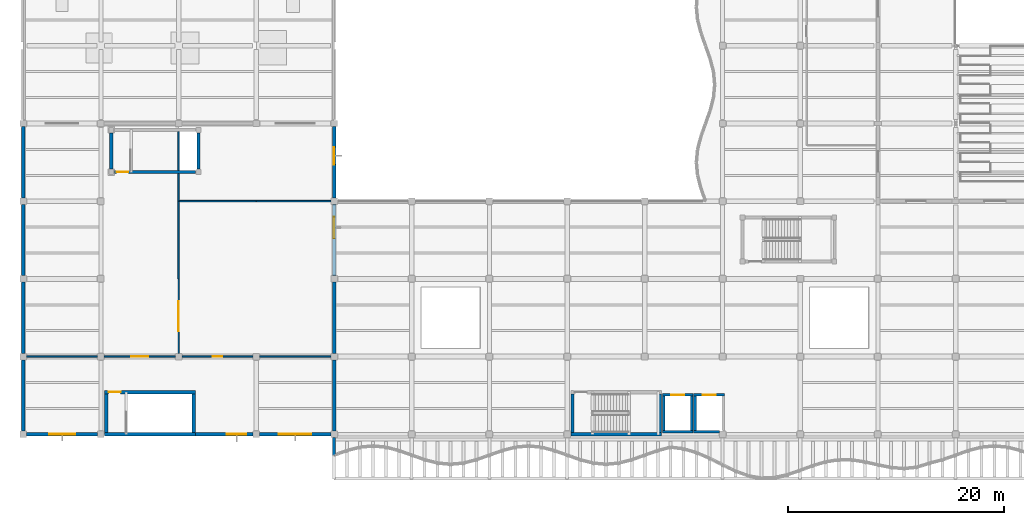
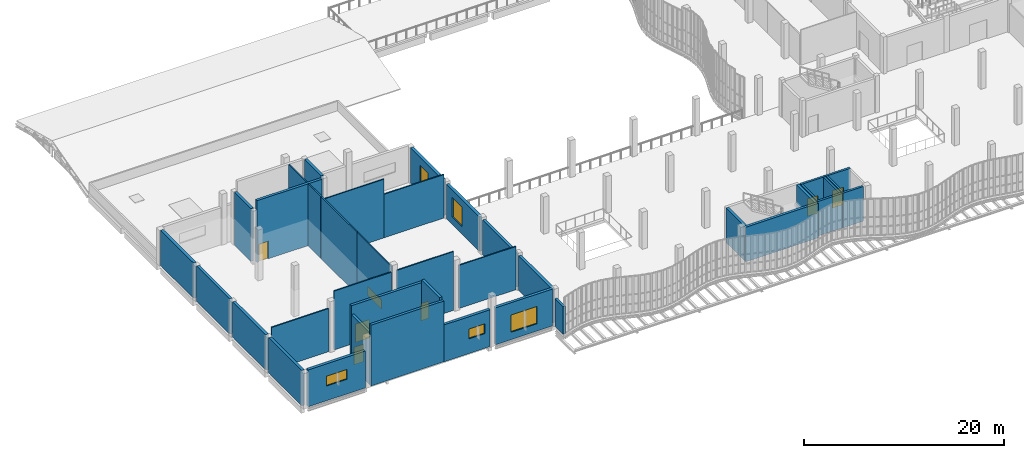
# One storey, part 88 of 105: 39 walls, 6 doors, 6 windows, 12 openings.
"""IFC4 building model written with IfcOpenShell, lengths in metres."""

from ifc_helpers import new_model, si_unit, direction, frame, frame_2d, origin, place, context, subcontext, project, spatial, rectangle, extrude, material, layer, layer_set, type_object, element, fill, save


model = new_model("IFC4")

# Units and contexts
model_context = context("Model", 3, precision=1e-05, world=origin(), true_north=direction((0.0, 1.0)))
body_context = subcontext(model_context, "Body", "Model", "MODEL_VIEW")
ifc_project = project(units=[si_unit("LENGTHUNIT", "METRE"), si_unit("AREAUNIT", "SQUARE_METRE"), si_unit("VOLUMEUNIT", "CUBIC_METRE"), si_unit("PLANEANGLEUNIT", "RADIAN"), si_unit("MASSUNIT", "GRAM", prefix="KILO"), si_unit("THERMODYNAMICTEMPERATUREUNIT", "KELVIN"), si_unit("POWERUNIT", "WATT")], contexts=[model_context])

# Site, building, storey
site_placement = place(None, origin())
site = spatial("IfcSite", under=ifc_project, at=site_placement, CompositionType="ELEMENT")
building_placement = place(site_placement, origin())
building = spatial("IfcBuilding", under=site, at=building_placement, Name="Kaldorven Railside Theatre", CompositionType="ELEMENT")
storey_placement = place(building_placement, frame((0.0, 0.0, 9.89990234375)))
storey = spatial("IfcBuildingStorey", under=building, at=storey_placement, Name="L02", CompositionType="ELEMENT", Elevation=9.89990234375)

# Wall, opening, window
ifc_material_1 = material(Name="Architectural concrete C40/50", Category="concrete")
ifc_layer_1 = layer(ifc_material_1, 0.320068359375, Name="Architectural concrete C40/50")
ifc_layer_set_1 = layer_set([ifc_layer_1], Name="Architectural concrete C40/50")
wall_type_1 = type_object("IfcWallType", Name="WL-EW04", PredefinedType="SOLIDWALL", material=ifc_layer_set_1)
wall_1_placement = place(storey_placement, frame((36.5, 19.199951171875, 0.0), z_axis=(0.0, 0.0, 1.0), x_axis=(-1.0, 0.0, 0.0)))
wall_1 = element("IfcWall", 1, at=wall_1_placement, inside=storey, type_object=wall_type_1, Name="V3 L02 Exterior Wall EW-0162", PredefinedType="SOLIDWALL", context=body_context, shape_type="SweptSolid", body=[
    extrude(rectangle(XDim=6.60009765625, YDim=0.320068359375, at=frame_2d((3.300048828125, 0.0))), origin(), (0.0, 0.0, 1.0), 4.5),
])
opening_1_placement = place(wall_1_placement, frame((1.800048828125, 0.0, 0.89990234375)))
opening_1 = element("IfcOpeningElement", 2, at=opening_1_placement, cuts=wall_1, Name="Opening WN-013", PredefinedType="OPENING", context=body_context, shape_type="SweptSolid", body=[
    extrude(rectangle(XDim=3.0, YDim=2.10009765625, at=frame_2d((1.5, 1.050048828125))), frame((0.0, 0.169921875, 0.0), z_axis=(0.0, -1.0, 0.0), x_axis=(1.0, 0.0, 0.0)), (0.0, 0.0, 1.0), 0.340087890625),
])
ifc_material_2 = material(Name="Low-E laminated solar-control glass", Category="glass")
window_type_1 = type_object("IfcWindowType", Name="WN-EW13", PartitioningType="SINGLE_PANEL", PredefinedType="WINDOW", material=ifc_material_2)
window_1_placement = place(opening_1_placement, origin())
window_1 = element("IfcWindow", 3, at=window_1_placement, inside=storey, type_object=window_type_1, Name="Shaded Acoustic Exterior Window WN-013", OverallHeight=2.10009765625, OverallWidth=3.0, PartitioningType="SINGLE_PANEL", PredefinedType="WINDOW", context=body_context, shape_type="SweptSolid", body=[
    extrude(rectangle(XDim=3.0, YDim=2.10009765625, at=frame_2d((1.5, 1.050048828125))), frame((0.0, 0.030029296875, 0.0), z_axis=(0.0, -1.0, 0.0), x_axis=(1.0, 0.0, 0.0)), (0.0, 0.0, 1.0), 0.06005859375),
])
fill(opening_1, window_1)

wall_2_placement = place(storey_placement, frame((29.300048828125, 19.199951171875, 0.0), z_axis=(0.0, 0.0, 1.0), x_axis=(-1.0, 0.0, 0.0)))
wall_2 = element("IfcWall", 4, at=wall_2_placement, inside=storey, type_object=wall_type_1, Name="V3 L02 Exterior Wall EW-0163", PredefinedType="SOLIDWALL", context=body_context, shape_type="SweptSolid", body=[
    extrude(rectangle(XDim=5.35009765625, YDim=0.320068359375, at=frame_2d((2.675048828125, 0.0))), origin(), (0.0, 0.0, 1.0), 4.5),
])
opening_2_placement = place(wall_2_placement, frame((0.625, 0.0, 1.800048828125)))
opening_2 = element("IfcOpeningElement", 5, at=opening_2_placement, cuts=wall_2, Name="Opening WN-014", PredefinedType="OPENING", context=body_context, shape_type="SweptSolid", body=[
    extrude(rectangle(XDim=1.800048828125, YDim=1.199951171875, at=frame_2d((0.89990234375, 0.60009765625))), frame((0.0, 0.169921875, 0.0), z_axis=(0.0, -1.0, 0.0), x_axis=(1.0, 0.0, 0.0)), (0.0, 0.0, 1.0), 0.340087890625),
])
window_type_2 = type_object("IfcWindowType", Name="WN-EW14", PartitioningType="SINGLE_PANEL", PredefinedType="WINDOW", material=ifc_material_2)
window_2_placement = place(opening_2_placement, origin())
window_2 = element("IfcWindow", 6, at=window_2_placement, inside=storey, type_object=window_type_2, Name="Shaded Acoustic Exterior Window WN-014", OverallHeight=1.199951171875, OverallWidth=1.800048828125, PartitioningType="SINGLE_PANEL", PredefinedType="WINDOW", context=body_context, shape_type="SweptSolid", body=[
    extrude(rectangle(XDim=1.800048828125, YDim=1.199951171875, at=frame_2d((0.89990234375, 0.60009765625))), frame((0.0, 0.030029296875, 0.0), z_axis=(0.0, -1.0, 0.0), x_axis=(1.0, 0.0, 0.0)), (0.0, 0.0, 1.0), 0.06005859375),
])
fill(opening_2, window_2)

wall_3_placement = place(storey_placement, frame((14.89990234375, 19.199951171875, 0.0), z_axis=(0.0, 0.0, 1.0), x_axis=(-1.0, 0.0, 0.0)))
wall_3 = element("IfcWall", 7, at=wall_3_placement, inside=storey, type_object=wall_type_1, Name="V3 L02 Exterior Wall EW-0164", PredefinedType="SOLIDWALL", context=body_context, shape_type="SweptSolid", body=[
    extrude(rectangle(XDim=6.599853515625, YDim=0.320068359375, at=frame_2d((3.2998046875, 0.0))), origin(), (0.0, 0.0, 1.0), 4.5),
])
opening_3_placement = place(wall_3_placement, frame((2.10009765625, 0.0, 1.800048828125)))
opening_3 = element("IfcOpeningElement", 8, at=opening_3_placement, cuts=wall_3, Name="Opening WN-015", PredefinedType="OPENING", context=body_context, shape_type="SweptSolid", body=[
    extrude(rectangle(XDim=2.39990234375, YDim=1.199951171875, at=frame_2d((1.199951171875, 0.60009765625))), frame((0.0, 0.169921875, 0.0), z_axis=(0.0, -1.0, 0.0), x_axis=(1.0, 0.0, 0.0)), (0.0, 0.0, 1.0), 0.340087890625),
])
window_type_3 = type_object("IfcWindowType", Name="WN-EW15", PartitioningType="SINGLE_PANEL", PredefinedType="WINDOW", material=ifc_material_2)
window_3_placement = place(opening_3_placement, origin())
window_3 = element("IfcWindow", 9, at=window_3_placement, inside=storey, type_object=window_type_3, Name="Shaded Acoustic Exterior Window WN-015", OverallHeight=1.199951171875, OverallWidth=2.39990234375, PartitioningType="SINGLE_PANEL", PredefinedType="WINDOW", context=body_context, shape_type="SweptSolid", body=[
    extrude(rectangle(XDim=2.39990234375, YDim=1.199951171875, at=frame_2d((1.199951171875, 0.60009765625))), frame((0.0, 0.030029296875, 0.0), z_axis=(0.0, -1.0, 0.0), x_axis=(1.0, 0.0, 0.0)), (0.0, 0.0, 1.0), 0.06005859375),
])
fill(opening_3, window_3)

# Walls
for number, where, z_axis, x_axis, name in (
    (10, (8.0, 19.5, 0.0), (0.0, 0.0, 1.0), (0.0, 1.0, 0.0), "V3 L02 Exterior Wall EW-0165"),
    (11, (8.0, 26.699951171875, 0.0), (0.0, 0.0, 1.0), (0.0, 1.0, 0.0), "V3 L02 Exterior Wall EW-0166"),
    (12, (8.0, 33.89990234375, 0.0), (0.0, 0.0, 1.0), (0.0, 1.0, 0.0), "V3 L02 Exterior Wall EW-0167"),
):
    element("IfcWall", number, at=place(storey_placement, frame(where, z_axis=z_axis, x_axis=x_axis)), inside=storey, type_object=wall_type_1, Name=name, PredefinedType="SOLIDWALL", context=body_context, shape_type="SweptSolid", body=[
        extrude(rectangle(XDim=6.60009765625, YDim=0.320068359375, at=frame_2d((3.300048828125, 0.0))), origin(), (0.0, 0.0, 1.0), 4.31298828125),
    ])
wall_4_placement = place(storey_placement, frame((8.0, 41.10009765625, 0.0), z_axis=(0.0, 0.0, 1.0), x_axis=(0.0, 1.0, 0.0)))
element("IfcWall", 13, at=wall_4_placement, inside=storey, type_object=wall_type_1, Name="V3 L02 Exterior Wall EW-0168", PredefinedType="SOLIDWALL", context=body_context, shape_type="SweptSolid", body=[
    extrude(rectangle(XDim=6.599853515625, YDim=0.320068359375, at=frame_2d((3.2998046875, 0.0))), origin(), (0.0, 0.0, 1.0), 4.31298828125),
])

# Wall, opening, window
wall_5_placement = place(storey_placement, frame((36.800048828125, 47.699951171875, 0.0), z_axis=(0.0, 0.0, 1.0), x_axis=(0.0, -1.0, 0.0)))
wall_5 = element("IfcWall", 14, at=wall_5_placement, inside=storey, type_object=wall_type_1, Name="V3 L02 Exterior Wall EW-0173", PredefinedType="SOLIDWALL", context=body_context, shape_type="SweptSolid", body=[
    extrude(rectangle(XDim=6.599853515625, YDim=0.320068359375, at=frame_2d((3.2998046875, 0.0))), origin(), (0.0, 0.0, 1.0), 4.31298828125),
])
opening_4_placement = place(wall_5_placement, frame((1.89990234375, 0.0, 0.89990234375)))
opening_4 = element("IfcOpeningElement", 15, at=opening_4_placement, cuts=wall_5, Name="Opening WN-018", PredefinedType="OPENING", context=body_context, shape_type="SweptSolid", body=[
    extrude(rectangle(XDim=1.60009765625, YDim=2.39990234375, at=frame_2d((0.800048828125, 1.199951171875))), frame((0.0, 0.169921875, 0.0), z_axis=(0.0, -1.0, 0.0), x_axis=(1.0, 0.0, 0.0)), (0.0, 0.0, 1.0), 0.340087890625),
])
window_type_4 = type_object("IfcWindowType", Name="WN-EW18", PartitioningType="SINGLE_PANEL", PredefinedType="WINDOW", material=ifc_material_2)
window_4_placement = place(opening_4_placement, origin())
window_4 = element("IfcWindow", 16, at=window_4_placement, inside=storey, type_object=window_type_4, Name="Shaded Acoustic Exterior Window WN-018", OverallHeight=2.39990234375, OverallWidth=1.60009765625, PartitioningType="SINGLE_PANEL", PredefinedType="WINDOW", context=body_context, shape_type="SweptSolid", body=[
    extrude(rectangle(XDim=1.60009765625, YDim=2.39990234375, at=frame_2d((0.800048828125, 1.199951171875))), frame((0.0, 0.030029296875, 0.0), z_axis=(0.0, -1.0, 0.0), x_axis=(1.0, 0.0, 0.0)), (0.0, 0.0, 1.0), 0.06005859375),
])
fill(opening_4, window_4)

wall_6_placement = place(storey_placement, frame((36.800048828125, 40.5, 0.0), z_axis=(0.0, 0.0, 1.0), x_axis=(0.0, -1.0, 0.0)))
wall_6 = element("IfcWall", 17, at=wall_6_placement, inside=storey, type_object=wall_type_1, Name="V3 L02 Exterior Wall EW-0174", PredefinedType="SOLIDWALL", context=body_context, shape_type="SweptSolid", body=[
    extrude(rectangle(XDim=6.60009765625, YDim=0.320068359375, at=frame_2d((3.300048828125, 0.0))), origin(), (0.0, 0.0, 1.0), 4.22021484375),
])
opening_5_placement = place(wall_6_placement, frame((1.14990234375, 0.0, 0.89990234375)))
opening_5 = element("IfcOpeningElement", 18, at=opening_5_placement, cuts=wall_6, Name="Opening WN-019", PredefinedType="OPENING", context=body_context, shape_type="SweptSolid", body=[
    extrude(rectangle(XDim=2.0, YDim=2.39990234375, at=frame_2d((1.0, 1.199951171875))), frame((0.0, 0.169921875, 0.0), z_axis=(0.0, -1.0, 0.0), x_axis=(1.0, 0.0, 0.0)), (0.0, 0.0, 1.0), 0.340087890625),
])
window_type_5 = type_object("IfcWindowType", Name="WN-EW19", PartitioningType="SINGLE_PANEL", PredefinedType="WINDOW", material=ifc_material_2)
window_5_placement = place(opening_5_placement, origin())
window_5 = element("IfcWindow", 19, at=window_5_placement, inside=storey, type_object=window_type_5, Name="Shaded Acoustic Exterior Window WN-019", OverallHeight=2.39990234375, OverallWidth=2.0, PartitioningType="SINGLE_PANEL", PredefinedType="WINDOW", context=body_context, shape_type="SweptSolid", body=[
    extrude(rectangle(XDim=2.0, YDim=2.39990234375, at=frame_2d((1.0, 1.199951171875))), frame((0.0, 0.030029296875, 0.0), z_axis=(0.0, -1.0, 0.0), x_axis=(1.0, 0.0, 0.0)), (0.0, 0.0, 1.0), 0.06005859375),
])
fill(opening_5, window_5)

# Walls
for number, where, z_axis, x_axis, name in (
    (20, (36.800048828125, 33.300048828125, 0.0), (0.0, 0.0, 1.0), (0.0, -1.0, 0.0), "V3 L02 Exterior Wall EW-0175"),
    (21, (36.800048828125, 26.10009765625, 0.0), (0.0, 0.0, 1.0), (0.0, -1.0, 0.0), "V3 L02 Exterior Wall EW-0176"),
):
    element("IfcWall", number, at=place(storey_placement, frame(where, z_axis=z_axis, x_axis=x_axis)), inside=storey, type_object=wall_type_1, Name=name, PredefinedType="SOLIDWALL", context=body_context, shape_type="SweptSolid", body=[
        extrude(rectangle(XDim=6.60009765625, YDim=0.320068359375, at=frame_2d((3.300048828125, 0.0))), origin(), (0.0, 0.0, 1.0), 4.22021484375),
    ])
ifc_material_3 = material(Name="Precast concrete C40/50", Category="concrete")
ifc_layer_2 = layer(ifc_material_3, 0.25, Name="Precast concrete C40/50")
ifc_layer_set_2 = layer_set([ifc_layer_2], Name="Precast concrete C40/50")
wall_type_2 = type_object("IfcWallType", Name="WL-EW06", PredefinedType="SOLIDWALL", material=ifc_layer_set_2)
wall_7_placement = place(storey_placement, frame((36.800048828125, 17.25, 0.0), z_axis=(0.0, 0.0, 1.0), x_axis=(0.0, 1.0, 0.0)))
element("IfcWall", 22, at=wall_7_placement, inside=storey, type_object=wall_type_2, Name="L02 Sinusoidal Foyer W End Return Wall EW-0472", PredefinedType="SOLIDWALL", context=body_context, shape_type="SweptSolid", body=[
    extrude(rectangle(XDim=1.64990234375, YDim=0.25, at=frame_2d((0.824951171875, 0.0))), origin(), (0.0, 0.0, 1.0), 3.375),
])

# Wall, opening, window
ifc_material_4 = material(Name="Acoustic gypsum board")
ifc_layer_3 = layer(ifc_material_4, 0.14990234375, Name="Acoustic gypsum board")
ifc_layer_set_3 = layer_set([ifc_layer_3], Name="Acoustic gypsum board")
wall_type_3 = type_object("IfcWallType", Name="WL-IW-AC1", PredefinedType="PARTITIONING", material=ifc_layer_set_3)
wall_8_placement = place(storey_placement, frame((22.39990234375, 26.699951171875, 0.0), z_axis=(0.0, 0.0, 1.0), x_axis=(0.0, 1.0, 0.0)))
wall_8 = element("IfcWall", 23, at=wall_8_placement, inside=storey, type_object=wall_type_3, Name="L02 Interior Wall IW-0577", PredefinedType="PARTITIONING", context=body_context, shape_type="SweptSolid", body=[
    extrude(rectangle(XDim=6.900146484375, YDim=0.14990234375, at=frame_2d((3.4501953125, 0.0))), origin(), (0.0, 0.0, 1.0), 7.55078125),
])
opening_6_placement = place(wall_8_placement, frame((2.050048828125, 0.0, 1.10009765625)))
opening_6 = element("IfcOpeningElement", 24, at=opening_6_placement, cuts=wall_8, Name="Opening IWN-020", PredefinedType="OPENING", context=body_context, shape_type="SweptSolid", body=[
    extrude(rectangle(XDim=2.800048828125, YDim=1.10009765625, at=frame_2d((1.39990234375, 0.550048828125))), frame((0.0, 0.0849609375, 0.0), z_axis=(0.0, -1.0, 0.0), x_axis=(1.0, 0.0, 0.0)), (0.0, 0.0, 1.0), 0.169921875),
])
window_type_6 = type_object("IfcWindowType", Name="WN-IW04", PartitioningType="SINGLE_PANEL", PredefinedType="WINDOW", material=ifc_material_2)
window_6_placement = place(opening_6_placement, origin())
window_6 = element("IfcWindow", 25, at=window_6_placement, inside=storey, type_object=window_type_6, Name="Acoustic Observation Window IWN-020", OverallHeight=1.10009765625, OverallWidth=2.800048828125, PartitioningType="SINGLE_PANEL", PredefinedType="WINDOW", context=body_context, shape_type="SweptSolid", body=[
    extrude(rectangle(XDim=2.800048828125, YDim=1.10009765625, at=frame_2d((1.39990234375, 0.550048828125))), frame((0.0, 0.030029296875, 0.0), z_axis=(0.0, -1.0, 0.0), x_axis=(1.0, 0.0, 0.0)), (0.0, 0.0, 1.0), 0.06005859375),
])
fill(opening_6, window_6)

# Walls
wall_9_placement = place(storey_placement, frame((22.39990234375, 33.60009765625, 0.0), z_axis=(0.0, 0.0, 1.0), x_axis=(0.0, 1.0, 0.0)))
element("IfcWall", 26, at=wall_9_placement, inside=storey, type_object=wall_type_3, Name="L02 Interior Wall IW-0578", PredefinedType="PARTITIONING", context=body_context, shape_type="SweptSolid", body=[
    extrude(rectangle(XDim=7.199951171875, YDim=0.14990234375, at=frame_2d((3.60009765625, 0.0))), origin(), (0.0, 0.0, 1.0), 7.55078125),
])
wall_10_placement = place(storey_placement, frame((22.39990234375, 43.652099609375, 0.0), z_axis=(0.0, 0.0, 1.0), x_axis=(0.0, 1.0, 0.0)))
element("IfcWall", 27, at=wall_10_placement, inside=storey, type_object=wall_type_3, Name="L02 Interior Wall IW-0579", PredefinedType="PARTITIONING", context=body_context, shape_type="SweptSolid", body=[
    extrude(rectangle(XDim=3.595947265625, YDim=0.14990234375, at=frame_2d((1.7978515625, 0.0))), origin(), (0.0, 0.0, 1.0), 7.55078125),
])
wall_11_placement = place(storey_placement, frame((22.39990234375, 40.800048828125, 0.0), z_axis=(0.0, 0.0, 1.0), x_axis=(0.0, 1.0, 0.0)))
element("IfcWall", 28, at=wall_11_placement, inside=storey, type_object=wall_type_3, Name="L02 Interior Wall IW-0580", PredefinedType="PARTITIONING", context=body_context, shape_type="SweptSolid", body=[
    extrude(rectangle(XDim=2.5478515625, YDim=0.14990234375, at=frame_2d((1.27392578125, 0.0))), origin(), (0.0, 0.0, 1.0), 7.55078125),
])
wall_12_placement = place(storey_placement, frame((8.300048828125, 26.39990234375, 0.0), z_axis=(0.0, 0.0, 1.0), x_axis=(1.0, 0.0, 0.0)))
element("IfcWall", 29, at=wall_12_placement, inside=storey, type_object=wall_type_3, Name="L02 Interior Wall IW-0581", PredefinedType="PARTITIONING", context=body_context, shape_type="SweptSolid", body=[
    extrude(rectangle(XDim=6.599853515625, YDim=0.14990234375, at=frame_2d((3.2998046875, 0.0))), origin(), (0.0, 0.0, 1.0), 5.262939453125),
])

# Wall, opening, door
wall_13_placement = place(storey_placement, frame((15.5, 26.39990234375, 0.0), z_axis=(0.0, 0.0, 1.0), x_axis=(1.0, 0.0, 0.0)))
wall_13 = element("IfcWall", 30, at=wall_13_placement, inside=storey, type_object=wall_type_3, Name="L02 Interior Wall IW-0582", PredefinedType="PARTITIONING", context=body_context, shape_type="SweptSolid", body=[
    extrude(rectangle(XDim=6.60009765625, YDim=0.14990234375, at=frame_2d((3.300048828125, 0.0))), origin(), (0.0, 0.0, 1.0), 7.1630859375),
])
opening_7_placement = place(wall_13_placement, frame((2.5, 0.0, 0.0)))
opening_7 = element("IfcOpeningElement", 31, at=opening_7_placement, cuts=wall_13, Name="Opening ID-0133", PredefinedType="OPENING", context=body_context, shape_type="SweptSolid", body=[
    extrude(rectangle(XDim=1.60009765625, YDim=2.25, at=frame_2d((0.800048828125, 1.125))), frame((0.0, 0.0849609375, 0.0), z_axis=(0.0, -1.0, 0.0), x_axis=(1.0, 0.0, 0.0)), (0.0, 0.0, 1.0), 0.169921875),
])
ifc_material_5 = material(Name="Acoustic hardwood timber", Category="wood")
door_type_1 = type_object("IfcDoorType", Name="DR-ID-REH1", OperationType="NOTDEFINED", PredefinedType="DOOR", material=ifc_material_5)
door_1_placement = place(opening_7_placement, origin())
door_1 = element("IfcDoor", 32, at=door_1_placement, inside=storey, type_object=door_type_1, Name="Studio Technical Gallery Entry Door", OperationType="DOUBLE_DOOR_SINGLE_SWING", OverallHeight=2.25, OverallWidth=1.60009765625, PredefinedType="DOOR", context=body_context, shape_type="SweptSolid", body=[
    extrude(rectangle(XDim=1.60009765625, YDim=2.25, at=frame_2d((0.800048828125, 1.125))), frame((0.0, 0.02490234375, 0.0), z_axis=(0.0, -1.0, 0.0), x_axis=(1.0, 0.0, 0.0)), (0.0, 0.0, 1.0), 0.050048828125),
])
fill(opening_7, door_1)

# Walls
ifc_layer_4 = layer(ifc_material_4, 0.139892578125, Name="Acoustic gypsum board")
ifc_layer_set_4 = layer_set([ifc_layer_4], Name="Acoustic gypsum board")
wall_type_4 = type_object("IfcWallType", Name="WL-IW-AC2", PredefinedType="PARTITIONING", material=ifc_layer_set_4)
wall_14_placement = place(storey_placement, frame((36.5, 40.800048828125, 0.0), z_axis=(0.0, 0.0, 1.0), x_axis=(-1.0, 0.0, 0.0)))
element("IfcWall", 33, at=wall_14_placement, inside=storey, type_object=wall_type_4, Name="L02 Interior Wall IW-0583", PredefinedType="PARTITIONING", context=body_context, shape_type="SweptSolid", body=[
    extrude(rectangle(XDim=6.89990234375, YDim=0.139892578125, at=frame_2d((3.449951171875, 0.0))), origin(), (0.0, 0.0, 1.0), 5.302490234375),
])
wall_15_placement = place(storey_placement, frame((29.60009765625, 40.800048828125, 0.0), z_axis=(0.0, 0.0, 1.0), x_axis=(-1.0, 0.0, 0.0)))
element("IfcWall", 34, at=wall_15_placement, inside=storey, type_object=wall_type_4, Name="L02 Interior Wall IW-0584", PredefinedType="PARTITIONING", context=body_context, shape_type="SweptSolid", body=[
    extrude(rectangle(XDim=7.123046875, YDim=0.139892578125, at=frame_2d((3.5615234375, 0.0))), origin(), (0.0, 0.0, 1.0), 7.15283203125),
])

# Wall, opening, door
wall_16_placement = place(storey_placement, frame((22.699951171875, 26.39990234375, 0.0), z_axis=(0.0, 0.0, 1.0), x_axis=(1.0, 0.0, 0.0)))
wall_16 = element("IfcWall", 35, at=wall_16_placement, inside=storey, type_object=wall_type_4, Name="L02 Interior Wall IW-0585", PredefinedType="PARTITIONING", context=body_context, shape_type="SweptSolid", body=[
    extrude(rectangle(XDim=6.60009765625, YDim=0.139892578125, at=frame_2d((3.300048828125, 0.0))), origin(), (0.0, 0.0, 1.0), 7.1630859375),
])
opening_8_placement = place(wall_16_placement, frame((2.840087890625, 0.0, 0.0)))
opening_8 = element("IfcOpeningElement", 36, at=opening_8_placement, cuts=wall_16, Name="Opening ID-0134", PredefinedType="OPENING", context=body_context, shape_type="SweptSolid", body=[
    extrude(rectangle(XDim=0.919921875, YDim=2.10009765625, at=frame_2d((0.4599609375, 1.050048828125))), frame((0.0, 0.080078125, 0.0), z_axis=(0.0, -1.0, 0.0), x_axis=(1.0, 0.0, 0.0)), (0.0, 0.0, 1.0), 0.159912109375),
])
door_type_2 = type_object("IfcDoorType", Name="DR-ID-WC1", OperationType="NOTDEFINED", PredefinedType="DOOR", material=ifc_material_5)
door_2_placement = place(opening_8_placement, origin())
door_2 = element("IfcDoor", 37, at=door_2_placement, inside=storey, type_object=door_type_2, Name="Practice Room Suite Entry Door", OperationType="SINGLE_SWING_RIGHT", OverallHeight=2.10009765625, OverallWidth=0.919921875, PredefinedType="DOOR", context=body_context, shape_type="SweptSolid", body=[
    extrude(rectangle(XDim=0.919921875, YDim=2.10009765625, at=frame_2d((0.4599609375, 1.050048828125))), frame((0.0, 0.02490234375, 0.0), z_axis=(0.0, -1.0, 0.0), x_axis=(1.0, 0.0, 0.0)), (0.0, 0.0, 1.0), 0.050048828125),
])
fill(opening_8, door_2)

# Walls
wall_17_placement = place(storey_placement, frame((29.89990234375, 26.39990234375, 0.0), z_axis=(0.0, 0.0, 1.0), x_axis=(1.0, 0.0, 0.0)))
element("IfcWall", 38, at=wall_17_placement, inside=storey, type_object=wall_type_4, Name="L02 Interior Wall IW-0586", PredefinedType="PARTITIONING", context=body_context, shape_type="SweptSolid", body=[
    extrude(rectangle(XDim=6.60009765625, YDim=0.139892578125, at=frame_2d((3.300048828125, 0.0))), origin(), (0.0, 0.0, 1.0), 5.262939453125),
])
ifc_material_6 = material(Name="Concrete C40/50", Category="concrete")
ifc_layer_5 = layer(ifc_material_6, 0.300048828125, Name="Concrete C40/50")
ifc_layer_set_5 = layer_set([ifc_layer_5], Name="Concrete C40/50")
wall_type_5 = type_object("IfcWallType", Name="WL-IW-CORE", PredefinedType="SHEAR", material=ifc_layer_set_5)
wall_18_placement = place(storey_placement, frame((23.949951171875, 19.199951171875, 0.0), z_axis=(0.0, 0.0, 1.0), x_axis=(-1.0, 0.0, 0.0)))
element("IfcWall", 39, at=wall_18_placement, inside=storey, type_object=wall_type_5, Name="L02 Core Wall CW-0013", PredefinedType="SHEAR", context=body_context, shape_type="SweptSolid", body=[
    extrude(rectangle(XDim=8.39990234375, YDim=0.300048828125, at=frame_2d((4.199951171875, 0.0))), origin(), (0.0, 0.0, 1.0), 7.413818359375),
])
wall_19_placement = place(storey_placement, frame((15.699951171875, 19.35205078125, 0.0), z_axis=(0.0, 0.0, 1.0), x_axis=(0.0, 1.0, 0.0)))
element("IfcWall", 40, at=wall_19_placement, inside=storey, type_object=wall_type_5, Name="L02 Core Wall CW-0014", PredefinedType="SHEAR", context=body_context, shape_type="SweptSolid", body=[
    extrude(rectangle(XDim=3.597900390625, YDim=0.300048828125, at=frame_2d((1.798828125, 0.0))), origin(), (0.0, 0.0, 1.0), 6.344970703125),
])

# Wall, opening, door
wall_20_placement = place(storey_placement, frame((15.550048828125, 23.10009765625, 0.0), z_axis=(0.0, 0.0, 1.0), x_axis=(1.0, 0.0, 0.0)))
wall_20 = element("IfcWall", 41, at=wall_20_placement, inside=storey, type_object=wall_type_5, Name="L02 Core Wall CW-0015", PredefinedType="SHEAR", context=body_context, shape_type="SweptSolid", body=[
    extrude(rectangle(XDim=8.39990234375, YDim=0.300048828125, at=frame_2d((4.199951171875, 0.0))), origin(), (0.0, 0.0, 1.0), 7.413818359375),
])
opening_9_placement = place(wall_20_placement, frame((0.3701171875, 0.0, 0.0)))
opening_9 = element("IfcOpeningElement", 42, at=opening_9_placement, cuts=wall_20, Name="Opening ID-0004", PredefinedType="OPENING", context=body_context, shape_type="SweptSolid", body=[
    extrude(rectangle(XDim=1.10009765625, YDim=2.14990234375, at=frame_2d((0.550048828125, 1.074951171875))), frame((0.0, 0.16015625, 0.0), z_axis=(0.0, -1.0, 0.0), x_axis=(1.0, 0.0, 0.0)), (0.0, 0.0, 1.0), 0.320068359375),
])
door_type_3 = type_object("IfcDoorType", Name="DR-ID-FD60", OperationType="NOTDEFINED", PredefinedType="DOOR", material=ifc_material_5)
door_3_placement = place(opening_9_placement, origin())
door_3 = element("IfcDoor", 43, at=door_3_placement, inside=storey, type_object=door_type_3, Name="Stair ST-01 Fire Door", OperationType="SINGLE_SWING_RIGHT", OverallHeight=2.14990234375, OverallWidth=1.10009765625, PredefinedType="DOOR", context=body_context, shape_type="SweptSolid", body=[
    extrude(rectangle(XDim=1.10009765625, YDim=2.14990234375, at=frame_2d((0.550048828125, 1.074951171875))), frame((0.0, 0.02490234375, 0.0), z_axis=(0.0, -1.0, 0.0), x_axis=(1.0, 0.0, 0.0)), (0.0, 0.0, 1.0), 0.050048828125),
])
fill(opening_9, door_3)

# Wall
wall_21_placement = place(storey_placement, frame((23.800048828125, 22.947998046875, 0.0), z_axis=(0.0, 0.0, 1.0), x_axis=(0.0, -1.0, 0.0)))
element("IfcWall", 44, at=wall_21_placement, inside=storey, type_object=wall_type_5, Name="L02 Core Wall CW-0016", PredefinedType="SHEAR", context=body_context, shape_type="SweptSolid", body=[
    extrude(rectangle(XDim=3.595947265625, YDim=0.300048828125, at=frame_2d((1.7978515625, 0.0))), origin(), (0.0, 0.0, 1.0), 7.74365234375),
])

# Wall, opening, door
wall_22_placement = place(storey_placement, frame((23.949951171875, 43.5, 0.0), z_axis=(0.0, 0.0, 1.0), x_axis=(-1.0, 0.0, 0.0)))
wall_22 = element("IfcWall", 45, at=wall_22_placement, inside=storey, type_object=wall_type_5, Name="L02 Core Wall CW-0025", PredefinedType="SHEAR", context=body_context, shape_type="SweptSolid", body=[
    extrude(rectangle(XDim=7.5, YDim=0.300048828125, at=frame_2d((3.75, 0.0))), origin(), (0.0, 0.0, 1.0), 7.532470703125),
])
opening_10_placement = place(wall_22_placement, frame((6.199951171875, 0.0, 0.0)))
opening_10 = element("IfcOpeningElement", 46, at=opening_10_placement, cuts=wall_22, Name="Opening ID-0007", PredefinedType="OPENING", context=body_context, shape_type="SweptSolid", body=[
    extrude(rectangle(XDim=1.10009765625, YDim=2.14990234375, at=frame_2d((0.550048828125, 1.074951171875))), frame((0.0, 0.16015625, 0.0), z_axis=(0.0, -1.0, 0.0), x_axis=(1.0, 0.0, 0.0)), (0.0, 0.0, 1.0), 0.320068359375),
])
door_4_placement = place(opening_10_placement, origin())
door_4 = element("IfcDoor", 47, at=door_4_placement, inside=storey, type_object=door_type_3, Name="Stair ST-02 Fire Door", OperationType="SINGLE_SWING_LEFT", OverallHeight=2.14990234375, OverallWidth=1.10009765625, PredefinedType="DOOR", context=body_context, shape_type="SweptSolid", body=[
    extrude(rectangle(XDim=1.10009765625, YDim=2.14990234375, at=frame_2d((0.550048828125, 1.074951171875))), frame((0.0, 0.02490234375, 0.0), z_axis=(0.0, -1.0, 0.0), x_axis=(1.0, 0.0, 0.0)), (0.0, 0.0, 1.0), 0.050048828125),
])
fill(opening_10, door_4)

# Walls
wall_23_placement = place(storey_placement, frame((16.14990234375, 43.800048828125, 0.0), z_axis=(0.0, 0.0, 1.0), x_axis=(0.0, 1.0, 0.0)))
element("IfcWall", 48, at=wall_23_placement, inside=storey, type_object=wall_type_5, Name="L02 Core Wall CW-0026", PredefinedType="SHEAR", context=body_context, shape_type="SweptSolid", body=[
    extrude(rectangle(XDim=3.300048828125, YDim=0.300048828125, at=frame_2d((1.64990234375, 0.0))), origin(), (0.0, 0.0, 1.0), 6.463623046875),
])
wall_24_placement = place(storey_placement, frame((24.25, 47.10009765625, 0.0), z_axis=(0.0, 0.0, 1.0), x_axis=(0.0, -1.0, 0.0)))
element("IfcWall", 49, at=wall_24_placement, inside=storey, type_object=wall_type_5, Name="L02 Core Wall CW-0028", PredefinedType="SHEAR", context=body_context, shape_type="SweptSolid", body=[
    extrude(rectangle(XDim=3.300048828125, YDim=0.300048828125, at=frame_2d((1.64990234375, 0.0))), origin(), (0.0, 0.0, 1.0), 7.624755859375),
])
wall_25_placement = place(storey_placement, frame((67.14990234375, 19.199951171875, 0.0), z_axis=(0.0, 0.0, 1.0), x_axis=(-1.0, 0.0, 0.0)))
element("IfcWall", 50, at=wall_25_placement, inside=storey, type_object=wall_type_5, Name="L02 Core Wall CW-0041", PredefinedType="SHEAR", context=body_context, shape_type="SweptSolid", body=[
    extrude(rectangle(XDim=8.39990234375, YDim=0.300048828125, at=frame_2d((4.199951171875, 0.0))), origin(), (0.0, 0.0, 1.0), 4.22021484375),
])
wall_26_placement = place(storey_placement, frame((58.89990234375, 19.35205078125, 0.0), z_axis=(0.0, 0.0, 1.0), x_axis=(0.0, 1.0, 0.0)))
element("IfcWall", 51, at=wall_26_placement, inside=storey, type_object=wall_type_5, Name="L02 Core Wall CW-0042", PredefinedType="SHEAR", context=body_context, shape_type="SweptSolid", body=[
    extrude(rectangle(XDim=3.597900390625, YDim=0.300048828125, at=frame_2d((1.798828125, 0.0))), origin(), (0.0, 0.0, 1.0), 4.22021484375),
])
wall_27_placement = place(storey_placement, frame((67.0, 22.947998046875, 0.0), z_axis=(0.0, 0.0, 1.0), x_axis=(0.0, -1.0, 0.0)))
element("IfcWall", 52, at=wall_27_placement, inside=storey, type_object=wall_type_5, Name="L02 Core Wall CW-0044", PredefinedType="SHEAR", context=body_context, shape_type="SweptSolid", body=[
    extrude(rectangle(XDim=3.595947265625, YDim=0.300048828125, at=frame_2d((1.7978515625, 0.0))), origin(), (0.0, 0.0, 1.0), 4.22021484375),
])
ifc_layer_6 = layer(ifc_material_6, 0.239990234375, Name="Concrete C40/50")
ifc_layer_set_6 = layer_set([ifc_layer_6], Name="Concrete C40/50")
wall_type_6 = type_object("IfcWallType", Name="WL-IW-SHAFT", PredefinedType="SHEAR", material=ifc_layer_set_6)
wall_28_placement = place(storey_placement, frame((70.070068359375, 19.449951171875, 0.0), z_axis=(0.0, 0.0, 1.0), x_axis=(-1.0, 0.0, 0.0)))
element("IfcWall", 53, at=wall_28_placement, inside=storey, type_object=wall_type_6, Name="L02 Interior Wall SW-0061", PredefinedType="SHEAR", context=body_context, shape_type="SweptSolid", body=[
    extrude(rectangle(XDim=2.840087890625, YDim=0.239990234375, at=frame_2d((1.419921875, 0.0))), origin(), (0.0, 0.0, 1.0), 4.22021484375),
])
wall_29_placement = place(storey_placement, frame((67.35009765625, 19.572021484375, 0.0), z_axis=(0.0, 0.0, 1.0), x_axis=(0.0, 1.0, 0.0)))
element("IfcWall", 54, at=wall_29_placement, inside=storey, type_object=wall_type_6, Name="L02 Interior Wall SW-0062", PredefinedType="SHEAR", context=body_context, shape_type="SweptSolid", body=[
    extrude(rectangle(XDim=3.157958984375, YDim=0.239990234375, at=frame_2d((1.5791015625, 0.0))), origin(), (0.0, 0.0, 1.0), 4.22021484375),
])

# Wall, opening, door
wall_30_placement = place(storey_placement, frame((67.22998046875, 22.85009765625, 0.0), z_axis=(0.0, 0.0, 1.0), x_axis=(1.0, 0.0, 0.0)))
wall_30 = element("IfcWall", 55, at=wall_30_placement, inside=storey, type_object=wall_type_6, Name="L02 Interior Wall SW-0063", PredefinedType="SHEAR", context=body_context, shape_type="SweptSolid", body=[
    extrude(rectangle(XDim=2.840087890625, YDim=0.239990234375, at=frame_2d((1.419921875, 0.0))), origin(), (0.0, 0.0, 1.0), 4.22021484375),
])
opening_11_placement = place(wall_30_placement, frame((0.820068359375, 0.0, 0.0)))
opening_11 = element("IfcOpeningElement", 56, at=opening_11_placement, cuts=wall_30, Name="Opening LD-004", PredefinedType="OPENING", context=body_context, shape_type="SweptSolid", body=[
    extrude(rectangle(XDim=1.199951171875, YDim=2.14990234375, at=frame_2d((0.60009765625, 1.074951171875))), frame((0.0, 0.1298828125, 0.0), z_axis=(0.0, -1.0, 0.0), x_axis=(1.0, 0.0, 0.0)), (0.0, 0.0, 1.0), 0.260009765625),
])
ifc_material_7 = material(Name="Powder-coated hollow-metal steel", Category="steel")
door_type_4 = type_object("IfcDoorType", Name="DR-LD-PASS", OperationType="NOTDEFINED", PredefinedType="DOOR", material=ifc_material_7)
door_5_placement = place(opening_11_placement, origin())
door_5 = element("IfcDoor", 57, at=door_5_placement, inside=storey, type_object=door_type_4, Name="Lift LF-P1 Sliding Landing Door", OperationType="DOUBLE_DOOR_SLIDING", OverallHeight=2.14990234375, OverallWidth=1.199951171875, PredefinedType="DOOR", context=body_context, shape_type="SweptSolid", body=[
    extrude(rectangle(XDim=1.199951171875, YDim=2.14990234375, at=frame_2d((0.60009765625, 1.074951171875))), frame((0.0, 0.02490234375, 0.0), z_axis=(0.0, -1.0, 0.0), x_axis=(1.0, 0.0, 0.0)), (0.0, 0.0, 1.0), 0.050048828125),
])
fill(opening_11, door_5)

# Walls
wall_31_placement = place(storey_placement, frame((69.949951171875, 22.72802734375, 0.0), z_axis=(0.0, 0.0, 1.0), x_axis=(0.0, -1.0, 0.0)))
element("IfcWall", 58, at=wall_31_placement, inside=storey, type_object=wall_type_6, Name="L02 Interior Wall SW-0064", PredefinedType="SHEAR", context=body_context, shape_type="SweptSolid", body=[
    extrude(rectangle(XDim=3.156005859375, YDim=0.239990234375, at=frame_2d((1.578125, 0.0))), origin(), (0.0, 0.0, 1.0), 4.22021484375),
])
wall_32_placement = place(storey_placement, frame((72.5, 19.449951171875, 0.0), z_axis=(0.0, 0.0, 1.0), x_axis=(-1.0, 0.0, 0.0)))
element("IfcWall", 59, at=wall_32_placement, inside=storey, type_object=wall_type_6, Name="L02 Interior Wall SW-0081", PredefinedType="SHEAR", context=body_context, shape_type="SweptSolid", body=[
    extrude(rectangle(XDim=2.3701171875, YDim=0.239990234375, at=frame_2d((1.18505859375, 0.0))), origin(), (0.0, 0.0, 1.0), 4.22021484375),
])
wall_33_placement = place(storey_placement, frame((70.25, 19.572021484375, 0.0), z_axis=(0.0, 0.0, 1.0), x_axis=(0.0, 1.0, 0.0)))
element("IfcWall", 60, at=wall_33_placement, inside=storey, type_object=wall_type_6, Name="L02 Interior Wall SW-0082", PredefinedType="SHEAR", context=body_context, shape_type="SweptSolid", body=[
    extrude(rectangle(XDim=3.157958984375, YDim=0.239990234375, at=frame_2d((1.5791015625, 0.0))), origin(), (0.0, 0.0, 1.0), 4.22021484375),
])

# Wall, opening, door
wall_34_placement = place(storey_placement, frame((70.1298828125, 22.85009765625, 0.0), z_axis=(0.0, 0.0, 1.0), x_axis=(1.0, 0.0, 0.0)))
wall_34 = element("IfcWall", 61, at=wall_34_placement, inside=storey, type_object=wall_type_6, Name="L02 Interior Wall SW-0083", PredefinedType="SHEAR", context=body_context, shape_type="SweptSolid", body=[
    extrude(rectangle(XDim=2.840087890625, YDim=0.239990234375, at=frame_2d((1.419921875, 0.0))), origin(), (0.0, 0.0, 1.0), 4.22021484375),
])
opening_12_placement = place(wall_34_placement, frame((0.820068359375, 0.0, 0.0)))
opening_12 = element("IfcOpeningElement", 62, at=opening_12_placement, cuts=wall_34, Name="Opening LD-009", PredefinedType="OPENING", context=body_context, shape_type="SweptSolid", body=[
    extrude(rectangle(XDim=1.199951171875, YDim=2.14990234375, at=frame_2d((0.60009765625, 1.074951171875))), frame((0.0, 0.1298828125, 0.0), z_axis=(0.0, -1.0, 0.0), x_axis=(1.0, 0.0, 0.0)), (0.0, 0.0, 1.0), 0.260009765625),
])
door_6_placement = place(opening_12_placement, origin())
door_6 = element("IfcDoor", 63, at=door_6_placement, inside=storey, type_object=door_type_4, Name="Lift LF-P2 Sliding Landing Door", OperationType="DOUBLE_DOOR_SLIDING", OverallHeight=2.14990234375, OverallWidth=1.199951171875, PredefinedType="DOOR", context=body_context, shape_type="SweptSolid", body=[
    extrude(rectangle(XDim=1.199951171875, YDim=2.14990234375, at=frame_2d((0.60009765625, 1.074951171875))), frame((0.0, 0.02490234375, 0.0), z_axis=(0.0, -1.0, 0.0), x_axis=(1.0, 0.0, 0.0)), (0.0, 0.0, 1.0), 0.050048828125),
])
fill(opening_12, door_6)

save(model, "model.ifc")
